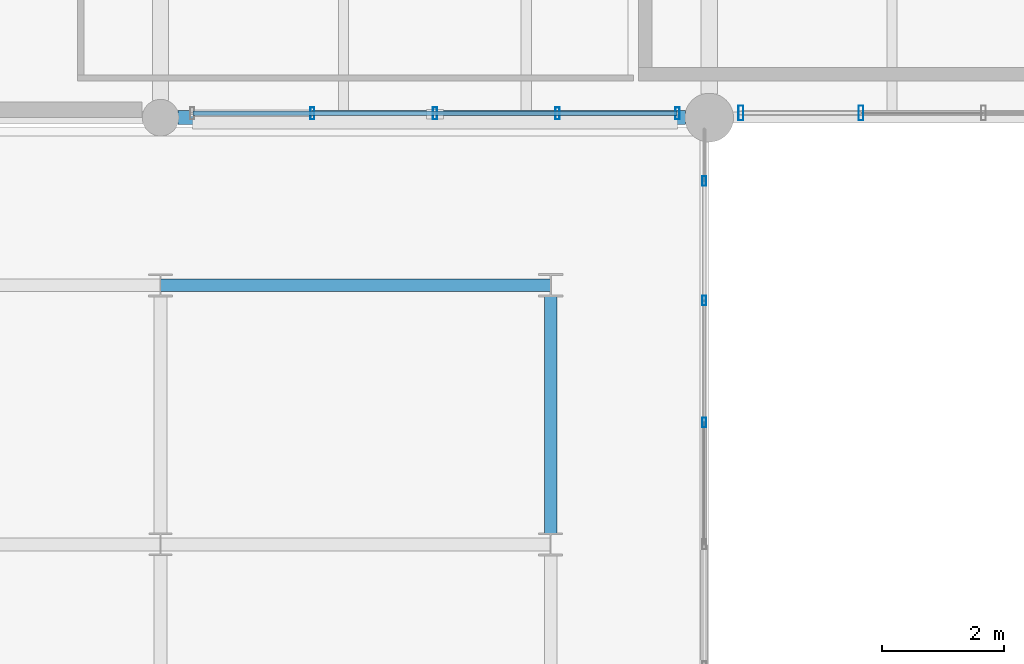
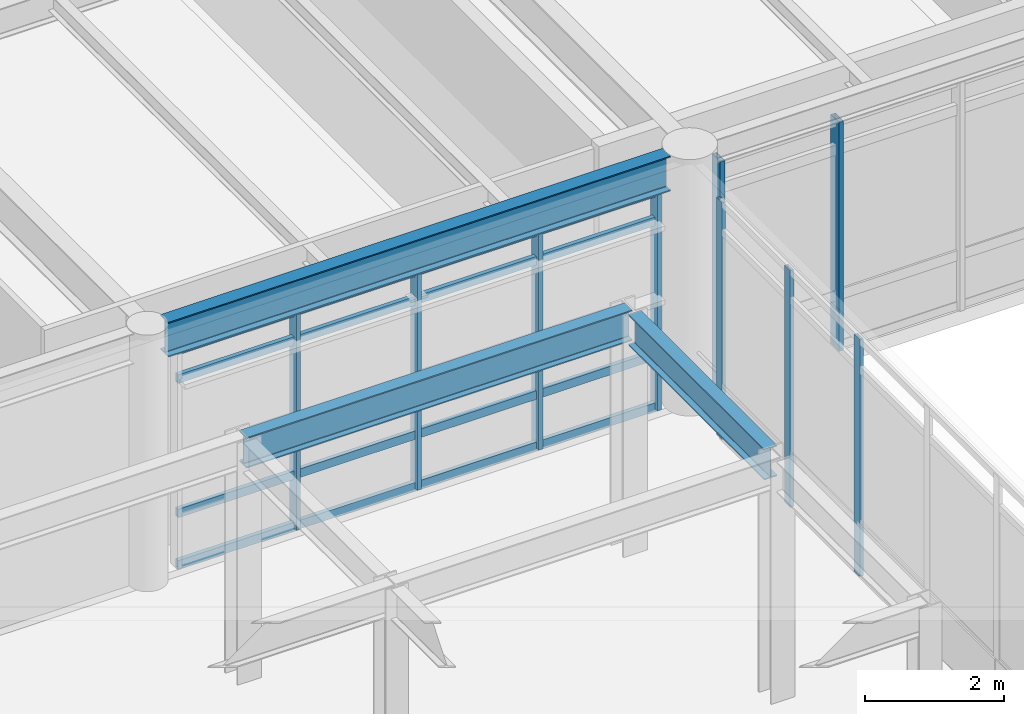
# One storey, part 77 of 200: 13 members, 3 beams, 3 elements without a shape of their own.
"""IFC4 building model written with IfcOpenShell, lengths in metres."""

from ifc_helpers import new_model, si_unit, direction, frame, origin, origin_2d, place, context, subcontext, project, spatial, hollow_rectangle, i_section, extrude, material, material_profile, profile_set, type_object, element, aggregate, save


model = new_model("IFC4")

# Units and contexts
model_context = context("Model", 3, precision=1e-05, world=origin(), true_north=direction((0.0, 1.0)))
body_context = subcontext(model_context, "Body", "Model", "MODEL_VIEW")
ifc_project = project(units=[si_unit("LENGTHUNIT", "METRE"), si_unit("AREAUNIT", "SQUARE_METRE"), si_unit("VOLUMEUNIT", "CUBIC_METRE"), si_unit("PLANEANGLEUNIT", "RADIAN"), si_unit("MASSUNIT", "GRAM", prefix="KILO"), si_unit("THERMODYNAMICTEMPERATUREUNIT", "KELVIN"), si_unit("POWERUNIT", "WATT")], contexts=[model_context])

# Site, building, storey
site_placement = place(None, origin())
site = spatial("IfcSite", under=ifc_project, at=site_placement, CompositionType="ELEMENT")
building_placement = place(site_placement, origin())
building = spatial("IfcBuilding", under=site, at=building_placement, Name="Tepalcoro Natatorium and Aquatics Centre", CompositionType="ELEMENT")
storey_placement = place(building_placement, frame((0.0, 0.0, 5.39990234375)))
storey = spatial("IfcBuildingStorey", under=building, at=storey_placement, Name="L01", CompositionType="ELEMENT", Elevation=5.39990234375)

# Beams
ifc_material_1 = material(Name="Steel ASTM A992 Grade 50 (Fy 345 MPa)", Category="steel")
ifc_material_profile_1 = material_profile(ifc_material_1, i_section(OverallWidth=0.2109375, OverallDepth=0.5380859375, WebThickness=0.011962890625, FlangeThickness=0.01904296875, FilletRadius=0.013916015625, at=origin_2d()), Name="W21X73")
ifc_profile_set_1 = profile_set([ifc_material_profile_1], Name="Steel ASTM A992 Grade 50 (Fy 345 MPa)")
beam_type_1 = type_object("IfcBeamType", Name="BM_LINK_LB1", PredefinedType="BEAM", material=ifc_profile_set_1)
beam_1_placement = place(storey_placement, frame((62.0, 83.25, 3.9560546875), z_axis=(1.0, 0.0, 0.0), x_axis=(0.0, 1.0, 0.0)))
element("IfcBeam", 1, at=beam_1_placement, inside=storey, type_object=beam_type_1, Name="Seismic passage link beam LB1 (V6NW L01)", PredefinedType="BEAM", context=body_context, shape_type="SweptSolid", body=[
    extrude(i_section(OverallWidth=0.2109375, OverallDepth=0.5380859375, WebThickness=0.011962890625, FlangeThickness=0.01904296875, FilletRadius=0.013916015625, at=origin_2d()), origin(), (0.0, 0.0, 1.0), 6.39990234375),
])
beam_2_placement = place(storey_placement, frame((68.39990234375, 79.1669921875, 3.9560546875), z_axis=(0.0, 1.0, 0.0), x_axis=(-1.0, 0.0, 0.0)))
element("IfcBeam", 2, at=beam_2_placement, inside=storey, type_object=beam_type_1, Name="Seismic passage link beam LB1 (V6NW L01)", PredefinedType="BEAM", context=body_context, shape_type="SweptSolid", body=[
    extrude(i_section(OverallWidth=0.2109375, OverallDepth=0.5380859375, WebThickness=0.011962890625, FlangeThickness=0.01904296875, FilletRadius=0.013916015625, at=origin_2d()), origin(), (0.0, 0.0, 1.0), 3.910888671875),
])

# Curtain wall, members
ifc_material_2 = material(Name="Bronze-Anodised Extruded Aluminium Alloy EN AW-6063 T6", Category="aluminium")
curtain_wall_type_1 = type_object("IfcCurtainWallType", Name="CW_LINK_150", PredefinedType="USERDEFINED", material=ifc_material_2)
curtain_wall_1_placement = place(storey_placement, origin())
curtain_wall_1 = element("IfcCurtainWall", 3, at=curtain_wall_1_placement, inside=storey, type_object=curtain_wall_type_1, Name="West Court Swimmers Arcade Glazed Wall E L01", ObjectType="UNITISED STOREFRONT", PredefinedType="USERDEFINED")
ifc_material_profile_2 = material_profile(ifc_material_2, hollow_rectangle(XDim=0.06005859375, YDim=0.159912109375, WallThickness=0.00390625, at=origin_2d()), Name="AL60X160X4")
ifc_profile_set_2 = profile_set([ifc_material_profile_2], Name="Bronze-Anodised Extruded Aluminium Alloy EN AW-6063 T6")
member_type_1 = type_object("IfcMemberType", Name="CW_MUL_60x160", PredefinedType="MULLION", material=ifc_profile_set_2)
member_1_placement = place(storey_placement, frame((70.919921875, 81.0, 0.02001953125), z_axis=(0.0, 0.0, 1.0), x_axis=(1.0, 0.0, 0.0)))
member_1 = element("IfcMember", 4, at=member_1_placement, type_object=member_type_1, Name="CW_LINK_150 Curtain Wall Mullion", PredefinedType="MULLION", context=body_context, shape_type="SweptSolid", body=[
    extrude(hollow_rectangle(XDim=0.06005859375, YDim=0.159912109375, WallThickness=0.00390625, at=origin_2d()), origin(), (0.0, 0.0, 1.0), 4.16015625),
])
member_2_placement = place(storey_placement, frame((70.919921875, 83.0, 0.02001953125), z_axis=(0.0, 0.0, 1.0), x_axis=(1.0, 0.0, 0.0)))
member_2 = element("IfcMember", 5, at=member_2_placement, type_object=member_type_1, Name="CW_LINK_150 Curtain Wall Mullion", PredefinedType="MULLION", context=body_context, shape_type="SweptSolid", body=[
    extrude(hollow_rectangle(XDim=0.06005859375, YDim=0.159912109375, WallThickness=0.00390625, at=origin_2d()), origin(), (0.0, 0.0, 1.0), 4.16015625),
])
member_3_placement = place(storey_placement, frame((70.919921875, 84.9599609375, 0.02001953125), z_axis=(0.0, 0.0, 1.0), x_axis=(1.0, 0.0, 0.0)))
member_3 = element("IfcMember", 6, at=member_3_placement, type_object=member_type_1, Name="CW_LINK_150 Curtain Wall Mullion", PredefinedType="MULLION", context=body_context, shape_type="SweptSolid", body=[
    extrude(hollow_rectangle(XDim=0.06005859375, YDim=0.159912109375, WallThickness=0.00390625, at=origin_2d()), origin(), (0.0, 0.0, 1.0), 4.16015625),
])
aggregate(curtain_wall_1, [member_1, member_2, member_3])

curtain_wall_type_2 = type_object("IfcCurtainWallType", Name="CW_LEAN_T1_EW", PredefinedType="USERDEFINED", material=ifc_material_2)
curtain_wall_2_placement = place(storey_placement, origin())
curtain_wall_2 = element("IfcCurtainWall", 7, at=curtain_wall_2_placement, inside=storey, type_object=curtain_wall_type_2, Name="V4 L01 S Unitised Curtain Wall Bay 7", ObjectType="FACETED SOLAR GLAZING", PredefinedType="USERDEFINED")
ifc_material_profile_3 = material_profile(ifc_material_2, hollow_rectangle(XDim=0.070068359375, YDim=0.199951171875, WallThickness=0.0048828125, at=origin_2d()), Name="AL70X200X5")
ifc_profile_set_3 = profile_set([ifc_material_profile_3], Name="Bronze-Anodised Extruded Aluminium Alloy EN AW-6063 T6")
member_type_2 = type_object("IfcMemberType", Name="CW_MUL_70x200", PredefinedType="MULLION", material=ifc_profile_set_3)
member_4_placement = place(storey_placement, frame((64.489990234375, 86.0712890625, 0.02001953125), z_axis=(0.0, 0.0, 1.0), x_axis=(1.0, 0.0, 0.0)))
member_4 = element("IfcMember", 8, at=member_4_placement, type_object=member_type_2, Name="CW_LEAN_T1_EW Curtain Wall Mullion", PredefinedType="MULLION", context=body_context, shape_type="SweptSolid", body=[
    extrude(hollow_rectangle(XDim=0.070068359375, YDim=0.199951171875, WallThickness=0.0048828125, at=origin_2d()), origin(), (0.0, 0.0, 1.0), 3.818115234375),
])
member_5_placement = place(storey_placement, frame((66.5, 86.0712890625, 0.02001953125), z_axis=(0.0, 0.0, 1.0), x_axis=(1.0, 0.0, 0.0)))
member_5 = element("IfcMember", 9, at=member_5_placement, type_object=member_type_2, Name="CW_LEAN_T1_EW Curtain Wall Mullion", PredefinedType="MULLION", context=body_context, shape_type="SweptSolid", body=[
    extrude(hollow_rectangle(XDim=0.070068359375, YDim=0.199951171875, WallThickness=0.0048828125, at=origin_2d()), origin(), (0.0, 0.0, 1.0), 3.818115234375),
])
member_6_placement = place(storey_placement, frame((68.510009765625, 86.0712890625, 0.02001953125), z_axis=(0.0, 0.0, 1.0), x_axis=(1.0, 0.0, 0.0)))
member_6 = element("IfcMember", 10, at=member_6_placement, type_object=member_type_2, Name="CW_LEAN_T1_EW Curtain Wall Mullion", PredefinedType="MULLION", context=body_context, shape_type="SweptSolid", body=[
    extrude(hollow_rectangle(XDim=0.070068359375, YDim=0.199951171875, WallThickness=0.0048828125, at=origin_2d()), origin(), (0.0, 0.0, 1.0), 3.818115234375),
])
member_7_placement = place(storey_placement, frame((70.47998046875, 86.0712890625, 0.02001953125), z_axis=(0.0, 0.0, 1.0), x_axis=(1.0, 0.0, 0.0)))
member_7 = element("IfcMember", 11, at=member_7_placement, type_object=member_type_2, Name="CW_LEAN_T1_EW Curtain Wall Mullion", PredefinedType="MULLION", context=body_context, shape_type="SweptSolid", body=[
    extrude(hollow_rectangle(XDim=0.070068359375, YDim=0.199951171875, WallThickness=0.0048828125, at=origin_2d()), origin(), (0.0, 0.0, 1.0), 3.818115234375),
])

curtain_wall_type_3 = type_object("IfcCurtainWallType", Name="CW_LEAN_T2_NS", PredefinedType="USERDEFINED", material=ifc_material_2)
curtain_wall_3_placement = place(storey_placement, origin())
curtain_wall_3 = element("IfcCurtainWall", 12, at=curtain_wall_3_placement, inside=storey, type_object=curtain_wall_type_3, Name="V4 L01 S Unitised Curtain Wall Bay 8", ObjectType="FACETED SOLAR GLAZING", PredefinedType="USERDEFINED")
ifc_material_profile_4 = material_profile(ifc_material_2, hollow_rectangle(XDim=0.080078125, YDim=0.239990234375, WallThickness=0.0048828125, at=origin_2d()), Name="AL80X240X5")
ifc_profile_set_4 = profile_set([ifc_material_profile_4], Name="Bronze-Anodised Extruded Aluminium Alloy EN AW-6063 T6")
member_type_3 = type_object("IfcMemberType", Name="CW_MUL_80x240", PredefinedType="MULLION", material=ifc_profile_set_4)
member_8_placement = place(storey_placement, frame((71.52001953125, 86.076171875, 0.02001953125), z_axis=(0.0, 0.0, 1.0), x_axis=(1.0, 0.0, 0.0)))
member_8 = element("IfcMember", 13, at=member_8_placement, type_object=member_type_3, Name="CW_LEAN_T2_NS Curtain Wall Mullion", PredefinedType="MULLION", context=body_context, shape_type="SweptSolid", body=[
    extrude(hollow_rectangle(XDim=0.080078125, YDim=0.239990234375, WallThickness=0.0048828125, at=origin_2d()), origin(), (0.0, 0.0, 1.0), 4.01708984375),
])
member_9_placement = place(storey_placement, frame((73.489990234375, 86.076171875, 0.02001953125), z_axis=(0.0, 0.0, 1.0), x_axis=(1.0, 0.0, 0.0)))
member_9 = element("IfcMember", 14, at=member_9_placement, type_object=member_type_3, Name="CW_LEAN_T2_NS Curtain Wall Mullion", PredefinedType="MULLION", context=body_context, shape_type="SweptSolid", body=[
    extrude(hollow_rectangle(XDim=0.080078125, YDim=0.239990234375, WallThickness=0.0048828125, at=origin_2d()), origin(), (0.0, 0.0, 1.0), 4.01708984375),
])
aggregate(curtain_wall_3, [member_8, member_9])

# Member
ifc_material_profile_5 = material_profile(ifc_material_2, hollow_rectangle(XDim=0.070068359375, YDim=0.14990234375, WallThickness=0.00390625, at=origin_2d()), Name="AL70X150X4")
ifc_profile_set_5 = profile_set([ifc_material_profile_5], Name="Bronze-Anodised Extruded Aluminium Alloy EN AW-6063 T6")
member_type_4 = type_object("IfcMemberType", Name="CW_TRN_70x150", PredefinedType="USERDEFINED", material=ifc_profile_set_5)
member_10_placement = place(storey_placement, frame((62.530029296875, 86.0712890625, 0.050048828125), z_axis=(1.0, 0.0, 0.0), x_axis=(0.0, 1.0, 0.0)))
member_10 = element("IfcMember", 15, at=member_10_placement, type_object=member_type_4, Name="CW_LEAN_T1_EW Curtain Wall Transom", ObjectType="TRANSOM", PredefinedType="USERDEFINED", context=body_context, shape_type="SweptSolid", body=[
    extrude(hollow_rectangle(XDim=0.070068359375, YDim=0.14990234375, WallThickness=0.00390625, at=origin_2d()), origin(), (0.0, 0.0, 1.0), 7.93994140625),
])

member_11_placement = place(storey_placement, frame((62.530029296875, 86.0712890625, 0.9501953125), z_axis=(1.0, 0.0, 0.0), x_axis=(0.0, 1.0, 0.0)))
member_11 = element("IfcMember", 16, at=member_11_placement, type_object=member_type_4, Name="CW_LEAN_T1_EW Curtain Wall Transom", ObjectType="TRANSOM", PredefinedType="USERDEFINED", context=body_context, shape_type="SweptSolid", body=[
    extrude(hollow_rectangle(XDim=0.070068359375, YDim=0.14990234375, WallThickness=0.00390625, at=origin_2d()), origin(), (0.0, 0.0, 1.0), 7.93994140625),
])

member_12_placement = place(storey_placement, frame((62.530029296875, 86.0712890625, 3.30810546875), z_axis=(1.0, 0.0, 0.0), x_axis=(0.0, 1.0, 0.0)))
member_12 = element("IfcMember", 17, at=member_12_placement, type_object=member_type_4, Name="CW_LEAN_T1_EW Curtain Wall Transom", ObjectType="TRANSOM", PredefinedType="USERDEFINED", context=body_context, shape_type="SweptSolid", body=[
    extrude(hollow_rectangle(XDim=0.070068359375, YDim=0.14990234375, WallThickness=0.00390625, at=origin_2d()), origin(), (0.0, 0.0, 1.0), 7.93994140625),
])

member_13_placement = place(storey_placement, frame((62.530029296875, 86.0712890625, 3.80810546875), z_axis=(1.0, 0.0, 0.0), x_axis=(0.0, 1.0, 0.0)))
member_13 = element("IfcMember", 18, at=member_13_placement, type_object=member_type_4, Name="CW_LEAN_T1_EW Curtain Wall Transom", ObjectType="TRANSOM", PredefinedType="USERDEFINED", context=body_context, shape_type="SweptSolid", body=[
    extrude(hollow_rectangle(XDim=0.070068359375, YDim=0.14990234375, WallThickness=0.00390625, at=origin_2d()), origin(), (0.0, 0.0, 1.0), 7.93994140625),
])

aggregate(curtain_wall_2, [member_4, member_5, member_6, member_7, member_10, member_11, member_12, member_13])

# Beam
ifc_material_profile_6 = material_profile(ifc_material_1, i_section(OverallWidth=0.22900390625, OverallDepth=0.612060546875, WebThickness=0.011962890625, FlangeThickness=0.02001953125, FilletRadius=0.013916015625, at=origin_2d()), Name="W24X84")
ifc_profile_set_6 = profile_set([ifc_material_profile_6], Name="Steel ASTM A992 Grade 50 (Fy 345 MPa)")
beam_type_2 = type_object("IfcBeamType", Name="SP_W24x84", PredefinedType="SPANDREL", material=ifc_profile_set_6)
beam_3_placement = place(storey_placement, frame((62.284912109375, 86.0, 4.17919921875), z_axis=(1.0, 0.0, 0.0), x_axis=(0.0, 1.0, 0.0)))
element("IfcBeam", 19, at=beam_3_placement, inside=storey, type_object=beam_type_2, Name="V4 L01 Grid Girder X", PredefinedType="SPANDREL", context=body_context, shape_type="SweptSolid", body=[
    extrude(i_section(OverallWidth=0.22900390625, OverallDepth=0.612060546875, WebThickness=0.011962890625, FlangeThickness=0.02001953125, FilletRadius=0.013916015625, at=origin_2d()), origin(), (0.0, 0.0, 1.0), 8.330078125),
])

save(model, "model.ifc")
